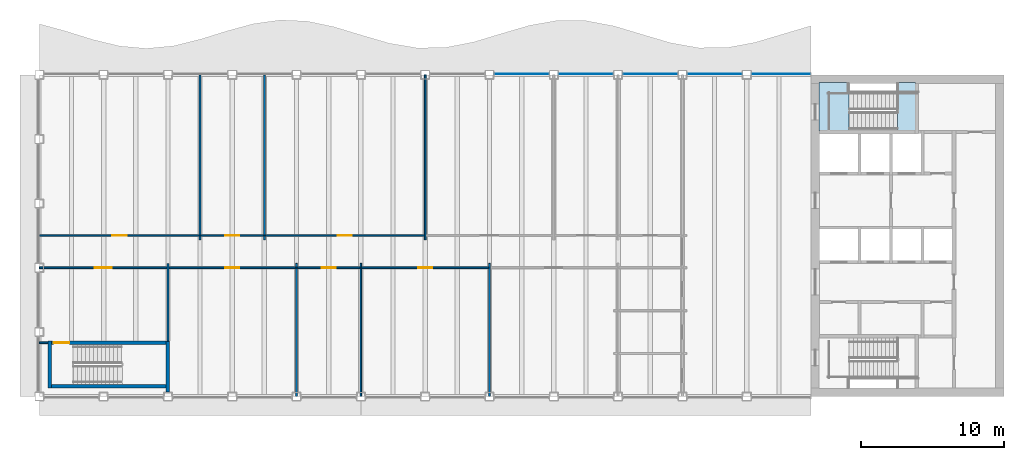
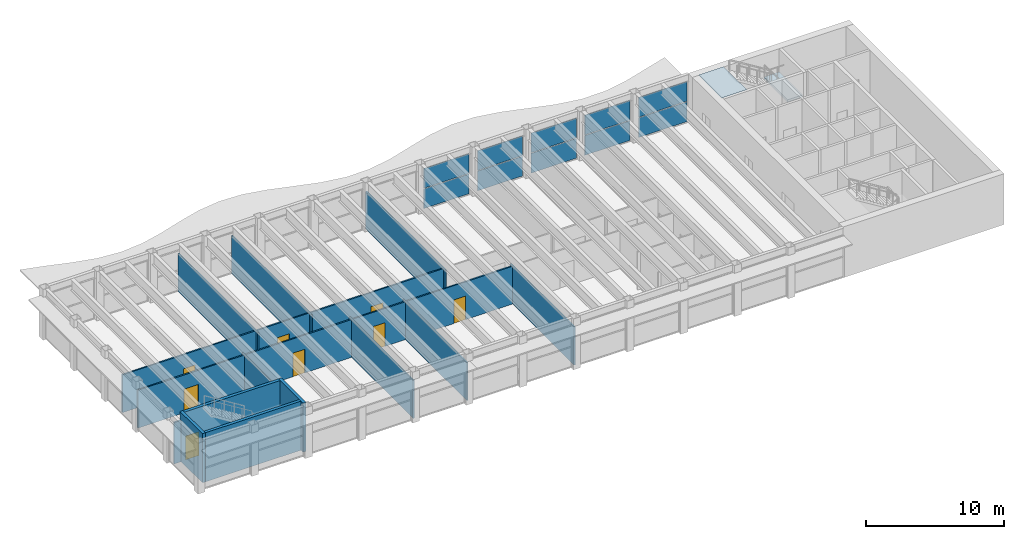
# One storey, part 8 of 14: 19 walls, 10 plates, 8 doors, 2 slabs, 8 openings, 6 elements without a shape of their own.
"""IFC4 building model written with IfcOpenShell, lengths in metres."""

from ifc_helpers import new_model, si_unit, direction, frame, frame_2d, origin, origin_2d, place, context, subcontext, project, spatial, polyline, rectangle, outline, extrude, material, layer, layer_set, type_object, element, fill, aggregate, save


model = new_model("IFC4")

# Units and contexts
model_context = context("Model", 3, precision=1e-05, world=origin(), true_north=direction((0.0, 1.0)))
body_context = subcontext(model_context, "Body", "Model", "MODEL_VIEW")
ifc_project = project(units=[si_unit("LENGTHUNIT", "METRE"), si_unit("AREAUNIT", "SQUARE_METRE"), si_unit("VOLUMEUNIT", "CUBIC_METRE"), si_unit("PLANEANGLEUNIT", "RADIAN"), si_unit("MASSUNIT", "GRAM", prefix="KILO")], contexts=[model_context])

# Site, building, storey
site_placement = place(None, origin())
site = spatial("IfcSite", under=ifc_project, at=site_placement, CompositionType="ELEMENT")
building_placement = place(site_placement, origin())
building = spatial("IfcBuilding", under=site, at=building_placement, Name="Sennacour Bend Tower", CompositionType="ELEMENT")
storey_placement = place(building_placement, frame((0.0, 0.0, 314.0)))
storey = spatial("IfcBuildingStorey", under=building, at=storey_placement, Name="L72", CompositionType="ELEMENT", Elevation=314.0)

# Curtain wall, plates
ifc_material_1 = material(Name="Bronze anodised aluminium curtain wall with clear glass", Category="aluminium")
curtain_wall_type = type_object("IfcCurtainWallType", Name="CURTAIN WALL EXEC", PredefinedType="NOTDEFINED", material=ifc_material_1)
curtain_wall_1_placement = place(storey_placement, origin())
curtain_wall_1 = element("IfcCurtainWall", 1, at=curtain_wall_1_placement, inside=storey, type_object=curtain_wall_type, Name="Executive floor glass wall L72", PredefinedType="NOTDEFINED")
ifc_material_2 = material(Name="Clear low-emissivity glass", Category="glass")
ifc_layer_1 = layer(ifc_material_2, 0.031982421875, Name="Clear low-emissivity glass", Category="glass")
ifc_layer_set_1 = layer_set([ifc_layer_1], Name="Clear low-emissivity glass")
plate_type = type_object("IfcPlateType", Name="PNL-GLASS-IGU32", PredefinedType="CURTAIN_PANEL", material=ifc_layer_set_1)
plate_1_placement = place(storey_placement, frame((51.89990234375, 22.574951171875, 0.06005859375), z_axis=(0.0, 0.0, 1.0), x_axis=(-1.0, 0.0, 0.0)))
plate_1 = element("IfcPlate", 2, at=plate_1_placement, type_object=plate_type, Name="GW3 curtain wall panel 1.1", PredefinedType="CURTAIN_PANEL", context=body_context, shape_type="SweptSolid", body=[
    extrude(rectangle(XDim=4.080078125, YDim=0.031982421875, at=origin_2d()), origin(), (0.0, 0.0, 1.0), 1.74609375),
])
plate_2_placement = place(storey_placement, frame((51.89990234375, 22.574951171875, 1.865966796875), z_axis=(0.0, 0.0, 1.0), x_axis=(-1.0, 0.0, 0.0)))
plate_2 = element("IfcPlate", 3, at=plate_2_placement, type_object=plate_type, Name="GW3 curtain wall panel 1.2", PredefinedType="CURTAIN_PANEL", context=body_context, shape_type="SweptSolid", body=[
    extrude(rectangle(XDim=4.080078125, YDim=0.031982421875, at=origin_2d()), origin(), (0.0, 0.0, 1.0), 1.74609375),
])
aggregate(curtain_wall_1, [plate_1, plate_2])

curtain_wall_2_placement = place(storey_placement, origin())
curtain_wall_2 = element("IfcCurtainWall", 4, at=curtain_wall_2_placement, inside=storey, type_object=curtain_wall_type, Name="Executive floor glass wall L72", PredefinedType="NOTDEFINED")
plate_3_placement = place(storey_placement, frame((47.25, 22.574951171875, 0.06005859375), z_axis=(0.0, 0.0, 1.0), x_axis=(-1.0, 0.0, 0.0)))
plate_3 = element("IfcPlate", 5, at=plate_3_placement, type_object=plate_type, Name="GW3 curtain wall panel 1.1", PredefinedType="CURTAIN_PANEL", context=body_context, shape_type="SweptSolid", body=[
    extrude(rectangle(XDim=3.780029296875, YDim=0.031982421875, at=origin_2d()), origin(), (0.0, 0.0, 1.0), 1.74609375),
])
plate_4_placement = place(storey_placement, frame((47.25, 22.574951171875, 1.865966796875), z_axis=(0.0, 0.0, 1.0), x_axis=(-1.0, 0.0, 0.0)))
plate_4 = element("IfcPlate", 6, at=plate_4_placement, type_object=plate_type, Name="GW3 curtain wall panel 1.2", PredefinedType="CURTAIN_PANEL", context=body_context, shape_type="SweptSolid", body=[
    extrude(rectangle(XDim=3.780029296875, YDim=0.031982421875, at=origin_2d()), origin(), (0.0, 0.0, 1.0), 1.74609375),
])
aggregate(curtain_wall_2, [plate_3, plate_4])

curtain_wall_3_placement = place(storey_placement, origin())
curtain_wall_3 = element("IfcCurtainWall", 7, at=curtain_wall_3_placement, inside=storey, type_object=curtain_wall_type, Name="Executive floor glass wall L72", PredefinedType="NOTDEFINED")
plate_5_placement = place(storey_placement, frame((42.75, 22.574951171875, 0.06005859375), z_axis=(0.0, 0.0, 1.0), x_axis=(-1.0, 0.0, 0.0)))
plate_5 = element("IfcPlate", 8, at=plate_5_placement, type_object=plate_type, Name="GW3 curtain wall panel 1.1", PredefinedType="CURTAIN_PANEL", context=body_context, shape_type="SweptSolid", body=[
    extrude(rectangle(XDim=3.780029296875, YDim=0.031982421875, at=origin_2d()), origin(), (0.0, 0.0, 1.0), 1.74609375),
])
plate_6_placement = place(storey_placement, frame((42.75, 22.574951171875, 1.865966796875), z_axis=(0.0, 0.0, 1.0), x_axis=(-1.0, 0.0, 0.0)))
plate_6 = element("IfcPlate", 9, at=plate_6_placement, type_object=plate_type, Name="GW3 curtain wall panel 1.2", PredefinedType="CURTAIN_PANEL", context=body_context, shape_type="SweptSolid", body=[
    extrude(rectangle(XDim=3.780029296875, YDim=0.031982421875, at=origin_2d()), origin(), (0.0, 0.0, 1.0), 1.74609375),
])
aggregate(curtain_wall_3, [plate_5, plate_6])

curtain_wall_4_placement = place(storey_placement, origin())
curtain_wall_4 = element("IfcCurtainWall", 10, at=curtain_wall_4_placement, inside=storey, type_object=curtain_wall_type, Name="Executive floor glass wall L72", PredefinedType="NOTDEFINED")
plate_7_placement = place(storey_placement, frame((38.25, 22.574951171875, 0.06005859375), z_axis=(0.0, 0.0, 1.0), x_axis=(-1.0, 0.0, 0.0)))
plate_7 = element("IfcPlate", 11, at=plate_7_placement, type_object=plate_type, Name="GW3 curtain wall panel 1.1", PredefinedType="CURTAIN_PANEL", context=body_context, shape_type="SweptSolid", body=[
    extrude(rectangle(XDim=3.780029296875, YDim=0.031982421875, at=origin_2d()), origin(), (0.0, 0.0, 1.0), 1.74609375),
])
plate_8_placement = place(storey_placement, frame((38.25, 22.574951171875, 1.865966796875), z_axis=(0.0, 0.0, 1.0), x_axis=(-1.0, 0.0, 0.0)))
plate_8 = element("IfcPlate", 12, at=plate_8_placement, type_object=plate_type, Name="GW3 curtain wall panel 1.2", PredefinedType="CURTAIN_PANEL", context=body_context, shape_type="SweptSolid", body=[
    extrude(rectangle(XDim=3.780029296875, YDim=0.031982421875, at=origin_2d()), origin(), (0.0, 0.0, 1.0), 1.74609375),
])
aggregate(curtain_wall_4, [plate_7, plate_8])

curtain_wall_5_placement = place(storey_placement, origin())
curtain_wall_5 = element("IfcCurtainWall", 13, at=curtain_wall_5_placement, inside=storey, type_object=curtain_wall_type, Name="Executive floor glass wall L72", PredefinedType="NOTDEFINED")
plate_9_placement = place(storey_placement, frame((33.75, 22.574951171875, 0.06005859375), z_axis=(0.0, 0.0, 1.0), x_axis=(-1.0, 0.0, 0.0)))
plate_9 = element("IfcPlate", 14, at=plate_9_placement, type_object=plate_type, Name="GW3 curtain wall panel 1.1", PredefinedType="CURTAIN_PANEL", context=body_context, shape_type="SweptSolid", body=[
    extrude(rectangle(XDim=3.780029296875, YDim=0.031982421875, at=origin_2d()), origin(), (0.0, 0.0, 1.0), 1.74609375),
])
plate_10_placement = place(storey_placement, frame((33.75, 22.574951171875, 1.865966796875), z_axis=(0.0, 0.0, 1.0), x_axis=(-1.0, 0.0, 0.0)))
plate_10 = element("IfcPlate", 15, at=plate_10_placement, type_object=plate_type, Name="GW3 curtain wall panel 1.2", PredefinedType="CURTAIN_PANEL", context=body_context, shape_type="SweptSolid", body=[
    extrude(rectangle(XDim=3.780029296875, YDim=0.031982421875, at=origin_2d()), origin(), (0.0, 0.0, 1.0), 1.74609375),
])
aggregate(curtain_wall_5, [plate_9, plate_10])

# Slab
ifc_material_3 = material(Name="Concrete C40/50", Category="concrete")
ifc_layer_2 = layer(ifc_material_3, 0.034912109375, Name="Concrete C40/50", Category="concrete")
ifc_layer_set_2 = layer_set([ifc_layer_2], Name="Concrete C40/50")
slab_type_1 = type_object("IfcSlabType", Name="Stair arrival nib 35", PredefinedType="FLOOR", material=ifc_layer_set_2)
slab_1_placement = place(storey_placement, frame((0.0, 0.0, 4.315185546875)))
element("IfcSlab", 16, at=slab_1_placement, inside=storey, type_object=slab_type_1, Name="L72 SA2 stair arrival nib", PredefinedType="FLOOR", context=body_context, shape_type="SweptSolid", body=[
    extrude(outline(polyline([(56.64208984375, 21.949951171875), (54.550048828125, 21.949951171875), (54.550048828125, 18.574951171875), (56.64208984375, 18.574951171875), (56.64208984375, 21.949951171875)])), origin(), (0.0, 0.0, 1.0), 0.034912109375),
])

# Stair, slab
stair_type = type_object("IfcStairType", Name="ST-DOGLEG", PredefinedType="HALF_TURN_STAIR", material=ifc_material_3)
stair_placement = place(storey_placement, origin())
stair = element("IfcStair", 17, at=stair_placement, inside=storey, type_object=stair_type, Name="L72 Exit stair A2", PredefinedType="HALF_TURN_STAIR")
ifc_layer_3 = layer(ifc_material_3, 0.199951171875, Name="Concrete C40/50", Category="concrete")
ifc_layer_set_3 = layer_set([ifc_layer_3], Name="Concrete C40/50")
slab_type_2 = type_object("IfcSlabType", Name="Stair landing 200", PredefinedType="LANDING", material=ifc_layer_set_3)
slab_2_placement = place(storey_placement, frame((0.0, 0.0, 2.050048828125)))
slab_2 = element("IfcSlab", 18, at=slab_2_placement, type_object=slab_type_2, Name="SA2 landing 1", PredefinedType="LANDING", context=body_context, shape_type="SweptSolid", body=[
    extrude(outline(polyline([(60.06005859375, 18.574951171875), (61.324951171875, 18.574951171875), (61.324951171875, 21.949951171875), (60.06005859375, 21.949951171875), (60.06005859375, 18.574951171875)])), origin(), (0.0, 0.0, 1.0), 0.199951171875),
])
aggregate(stair, [slab_2])

# Walls
ifc_material_4 = material(Name="Plasterboard partition on steel studs", Category="steel")
ifc_layer_4 = layer(ifc_material_4, 0.1201171875, Name="Plasterboard partition on steel studs", Category="steel")
ifc_layer_set_4 = layer_set([ifc_layer_4], Name="Plasterboard partition on steel studs")
wall_type_1 = type_object("IfcWallType", Name="Partition 120", PredefinedType="PARTITIONING", material=ifc_layer_set_4)
wall_1_placement = place(storey_placement, frame((9.0, 3.875, 0.0), z_axis=(0.0, 0.0, 1.0), x_axis=(0.0, 1.0, 0.0)))
element("IfcWall", 19, at=wall_1_placement, inside=storey, type_object=wall_type_1, Name="P-L72-W005a", PredefinedType="PARTITIONING", context=body_context, shape_type="SweptSolid", body=[
    extrude(rectangle(XDim=5.425048828125, YDim=0.1201171875, at=frame_2d((2.71240234375, 0.0))), origin(), (0.0, 0.0, 1.0), 3.35888671875),
])
for number, where, z_axis, x_axis, name in (
    (20, (11.25, 10.949951171875, 0.0), (0.0, 0.0, 1.0), (0.0, 1.0, 0.0), "P-L72-W006a"),
    (21, (15.75, 10.949951171875, 0.0), (0.0, 0.0, 1.0), (0.0, 1.0, 0.0), "P-L72-W007a"),
):
    element("IfcWall", number, at=place(storey_placement, frame(where, z_axis=z_axis, x_axis=x_axis)), inside=storey, type_object=wall_type_1, Name=name, PredefinedType="PARTITIONING", context=body_context, shape_type="SweptSolid", body=[
        extrude(rectangle(XDim=11.5400390625, YDim=0.1201171875, at=frame_2d((5.77001953125, 0.0))), origin(), (0.0, 0.0, 1.0), 3.35888671875),
    ])
for number, where, z_axis, x_axis, name in (
    (22, (18.0, 0.010009765625, 0.0), (0.0, 0.0, 1.0), (0.0, 1.0, 0.0), "P-L72-W008a"),
    (23, (22.5, 0.010009765625, 0.0), (0.0, 0.0, 1.0), (0.0, 1.0, 0.0), "P-L72-W009a"),
):
    element("IfcWall", number, at=place(storey_placement, frame(where, z_axis=z_axis, x_axis=x_axis)), inside=storey, type_object=wall_type_1, Name=name, PredefinedType="PARTITIONING", context=body_context, shape_type="SweptSolid", body=[
        extrude(rectangle(XDim=9.2900390625, YDim=0.1201171875, at=frame_2d((4.64501953125, 0.0))), origin(), (0.0, 0.0, 1.0), 3.35888671875),
    ])
wall_2_placement = place(storey_placement, frame((27.0, 10.949951171875, 0.0), z_axis=(0.0, 0.0, 1.0), x_axis=(0.0, 1.0, 0.0)))
element("IfcWall", 24, at=wall_2_placement, inside=storey, type_object=wall_type_1, Name="P-L72-W010a", PredefinedType="PARTITIONING", context=body_context, shape_type="SweptSolid", body=[
    extrude(rectangle(XDim=11.5400390625, YDim=0.1201171875, at=frame_2d((5.77001953125, 0.0))), origin(), (0.0, 0.0, 1.0), 3.35888671875),
])
wall_3_placement = place(storey_placement, frame((31.5, 0.010009765625, 0.0), z_axis=(0.0, 0.0, 1.0), x_axis=(0.0, 1.0, 0.0)))
element("IfcWall", 25, at=wall_3_placement, inside=storey, type_object=wall_type_1, Name="P-L72-W011a", PredefinedType="PARTITIONING", context=body_context, shape_type="SweptSolid", body=[
    extrude(rectangle(XDim=9.2900390625, YDim=0.1201171875, at=frame_2d((4.64501953125, 0.0))), origin(), (0.0, 0.0, 1.0), 3.35888671875),
])
wall_4_placement = place(storey_placement, frame((0.010009765625, 3.75, 0.0), z_axis=(0.0, 0.0, 1.0), x_axis=(1.0, 0.0, 0.0)))
element("IfcWall", 26, at=wall_4_placement, inside=storey, type_object=wall_type_1, Name="P-L72-W032a", PredefinedType="PARTITIONING", context=body_context, shape_type="SweptSolid", body=[
    extrude(rectangle(XDim=0.590087890625, YDim=0.1201171875, at=frame_2d((0.294921875, 0.0))), origin(), (0.0, 0.0, 1.0), 3.672119140625),
])

# Wall, opening, door
wall_5_placement = place(storey_placement, frame((9.06005859375, 9.0, 0.0), z_axis=(0.0, 0.0, 1.0), x_axis=(1.0, 0.0, 0.0)))
wall_5 = element("IfcWall", 27, at=wall_5_placement, inside=storey, type_object=wall_type_1, Name="P-L72-W038ab", PredefinedType="PARTITIONING", context=body_context, shape_type="SweptSolid", body=[
    extrude(rectangle(XDim=8.8798828125, YDim=0.1201171875, at=frame_2d((4.43994140625, 0.0))), origin(), (0.0, 0.0, 1.0), 3.35888671875),
])
opening_1_placement = place(wall_5_placement, frame((3.93994140625, 0.0, 0.0)))
opening_1 = element("IfcOpeningElement", 28, at=opening_1_placement, cuts=wall_5, Name="Opening OD2", PredefinedType="OPENING", context=body_context, shape_type="SweptSolid", body=[
    extrude(rectangle(XDim=1.0, YDim=2.10009765625, at=frame_2d((0.5, 1.050048828125))), frame((0.0, 0.070068359375, 0.0), z_axis=(0.0, -1.0, 0.0), x_axis=(1.0, 0.0, 0.0)), (0.0, 0.0, 1.0), 0.14013671875),
])
ifc_material_5 = material(Name="Timber", Category="wood")
door_type_1 = type_object("IfcDoorType", Name="DR-OFFICE-1000", OperationType="NOTDEFINED", PredefinedType="DOOR", material=ifc_material_5)
door_1_placement = place(opening_1_placement, origin())
door_1 = element("IfcDoor", 29, at=door_1_placement, inside=storey, type_object=door_type_1, Name="Door", OperationType="SINGLE_SWING_LEFT", OverallHeight=2.10009765625, OverallWidth=1.0, PredefinedType="DOOR", context=body_context, shape_type="SweptSolid", body=[
    extrude(rectangle(XDim=1.0, YDim=2.10009765625, at=frame_2d((0.5, 1.050048828125))), frame((0.0, 0.02490234375, 0.0), z_axis=(0.0, -1.0, 0.0), x_axis=(1.0, 0.0, 0.0)), (0.0, 0.0, 1.0), 0.050048828125),
])
fill(opening_1, door_1)

wall_6_placement = place(storey_placement, frame((18.06005859375, 9.0, 0.0), z_axis=(0.0, 0.0, 1.0), x_axis=(1.0, 0.0, 0.0)))
wall_6 = element("IfcWall", 30, at=wall_6_placement, inside=storey, type_object=wall_type_1, Name="P-L72-W038ac", PredefinedType="PARTITIONING", context=body_context, shape_type="SweptSolid", body=[
    extrude(rectangle(XDim=4.3798828125, YDim=0.1201171875, at=frame_2d((2.18994140625, 0.0))), origin(), (0.0, 0.0, 1.0), 3.35888671875),
])
opening_2_placement = place(wall_6_placement, frame((1.68994140625, 0.0, 0.0)))
opening_2 = element("IfcOpeningElement", 31, at=opening_2_placement, cuts=wall_6, Name="Opening OD2", PredefinedType="OPENING", context=body_context, shape_type="SweptSolid", body=[
    extrude(rectangle(XDim=1.0, YDim=2.10009765625, at=frame_2d((0.5, 1.050048828125))), frame((0.0, 0.070068359375, 0.0), z_axis=(0.0, -1.0, 0.0), x_axis=(1.0, 0.0, 0.0)), (0.0, 0.0, 1.0), 0.14013671875),
])
door_2_placement = place(opening_2_placement, origin())
door_2 = element("IfcDoor", 32, at=door_2_placement, inside=storey, type_object=door_type_1, Name="Door", OperationType="SINGLE_SWING_LEFT", OverallHeight=2.10009765625, OverallWidth=1.0, PredefinedType="DOOR", context=body_context, shape_type="SweptSolid", body=[
    extrude(rectangle(XDim=1.0, YDim=2.10009765625, at=frame_2d((0.5, 1.050048828125))), frame((0.0, 0.02490234375, 0.0), z_axis=(0.0, -1.0, 0.0), x_axis=(1.0, 0.0, 0.0)), (0.0, 0.0, 1.0), 0.050048828125),
])
fill(opening_2, door_2)

wall_7_placement = place(storey_placement, frame((22.56005859375, 9.0, 0.0), z_axis=(0.0, 0.0, 1.0), x_axis=(1.0, 0.0, 0.0)))
wall_7 = element("IfcWall", 33, at=wall_7_placement, inside=storey, type_object=wall_type_1, Name="P-L72-W038ad", PredefinedType="PARTITIONING", context=body_context, shape_type="SweptSolid", body=[
    extrude(rectangle(XDim=8.8798828125, YDim=0.1201171875, at=frame_2d((4.43994140625, 0.0))), origin(), (0.0, 0.0, 1.0), 3.35888671875),
])
opening_3_placement = place(wall_7_placement, frame((3.93994140625, 0.0, 0.0)))
opening_3 = element("IfcOpeningElement", 34, at=opening_3_placement, cuts=wall_7, Name="Opening OD2", PredefinedType="OPENING", context=body_context, shape_type="SweptSolid", body=[
    extrude(rectangle(XDim=1.0, YDim=2.10009765625, at=frame_2d((0.5, 1.050048828125))), frame((0.0, 0.070068359375, 0.0), z_axis=(0.0, -1.0, 0.0), x_axis=(1.0, 0.0, 0.0)), (0.0, 0.0, 1.0), 0.14013671875),
])
door_3_placement = place(opening_3_placement, origin())
door_3 = element("IfcDoor", 35, at=door_3_placement, inside=storey, type_object=door_type_1, Name="Door", OperationType="SINGLE_SWING_LEFT", OverallHeight=2.10009765625, OverallWidth=1.0, PredefinedType="DOOR", context=body_context, shape_type="SweptSolid", body=[
    extrude(rectangle(XDim=1.0, YDim=2.10009765625, at=frame_2d((0.5, 1.050048828125))), frame((0.0, 0.02490234375, 0.0), z_axis=(0.0, -1.0, 0.0), x_axis=(1.0, 0.0, 0.0)), (0.0, 0.0, 1.0), 0.050048828125),
])
fill(opening_3, door_3)

wall_8_placement = place(storey_placement, frame((0.010009765625, 11.25, 0.0), z_axis=(0.0, 0.0, 1.0), x_axis=(1.0, 0.0, 0.0)))
wall_8 = element("IfcWall", 36, at=wall_8_placement, inside=storey, type_object=wall_type_1, Name="P-L72-W040aa", PredefinedType="PARTITIONING", context=body_context, shape_type="SweptSolid", body=[
    extrude(rectangle(XDim=11.179931640625, YDim=0.1201171875, at=frame_2d((5.58984375, 0.0))), origin(), (0.0, 0.0, 1.0), 3.35888671875),
])
opening_4_placement = place(wall_8_placement, frame((5.10009765625, 0.0, 0.0)))
opening_4 = element("IfcOpeningElement", 37, at=opening_4_placement, cuts=wall_8, Name="Opening OD2", PredefinedType="OPENING", context=body_context, shape_type="SweptSolid", body=[
    extrude(rectangle(XDim=1.0, YDim=2.10009765625, at=frame_2d((0.5, 1.050048828125))), frame((0.0, 0.070068359375, 0.0), z_axis=(0.0, -1.0, 0.0), x_axis=(1.0, 0.0, 0.0)), (0.0, 0.0, 1.0), 0.14013671875),
])
door_4_placement = place(opening_4_placement, origin())
door_4 = element("IfcDoor", 38, at=door_4_placement, inside=storey, type_object=door_type_1, Name="Door", OperationType="SINGLE_SWING_LEFT", OverallHeight=2.10009765625, OverallWidth=1.0, PredefinedType="DOOR", context=body_context, shape_type="SweptSolid", body=[
    extrude(rectangle(XDim=1.0, YDim=2.10009765625, at=frame_2d((0.5, 1.050048828125))), frame((0.0, 0.02490234375, 0.0), z_axis=(0.0, -1.0, 0.0), x_axis=(1.0, 0.0, 0.0)), (0.0, 0.0, 1.0), 0.050048828125),
])
fill(opening_4, door_4)

wall_9_placement = place(storey_placement, frame((11.31005859375, 11.25, 0.0), z_axis=(0.0, 0.0, 1.0), x_axis=(1.0, 0.0, 0.0)))
wall_9 = element("IfcWall", 39, at=wall_9_placement, inside=storey, type_object=wall_type_1, Name="P-L72-W040ab", PredefinedType="PARTITIONING", context=body_context, shape_type="SweptSolid", body=[
    extrude(rectangle(XDim=4.3798828125, YDim=0.1201171875, at=frame_2d((2.18994140625, 0.0))), origin(), (0.0, 0.0, 1.0), 3.35888671875),
])
opening_5_placement = place(wall_9_placement, frame((1.68994140625, 0.0, 0.0)))
opening_5 = element("IfcOpeningElement", 40, at=opening_5_placement, cuts=wall_9, Name="Opening OD2", PredefinedType="OPENING", context=body_context, shape_type="SweptSolid", body=[
    extrude(rectangle(XDim=1.0, YDim=2.10009765625, at=frame_2d((0.5, 1.050048828125))), frame((0.0, 0.070068359375, 0.0), z_axis=(0.0, -1.0, 0.0), x_axis=(1.0, 0.0, 0.0)), (0.0, 0.0, 1.0), 0.14013671875),
])
door_5_placement = place(opening_5_placement, origin())
door_5 = element("IfcDoor", 41, at=door_5_placement, inside=storey, type_object=door_type_1, Name="Door", OperationType="SINGLE_SWING_LEFT", OverallHeight=2.10009765625, OverallWidth=1.0, PredefinedType="DOOR", context=body_context, shape_type="SweptSolid", body=[
    extrude(rectangle(XDim=1.0, YDim=2.10009765625, at=frame_2d((0.5, 1.050048828125))), frame((0.0, 0.02490234375, 0.0), z_axis=(0.0, -1.0, 0.0), x_axis=(1.0, 0.0, 0.0)), (0.0, 0.0, 1.0), 0.050048828125),
])
fill(opening_5, door_5)

wall_10_placement = place(storey_placement, frame((15.81005859375, 11.25, 0.0), z_axis=(0.0, 0.0, 1.0), x_axis=(1.0, 0.0, 0.0)))
wall_10 = element("IfcWall", 42, at=wall_10_placement, inside=storey, type_object=wall_type_1, Name="P-L72-W040ac", PredefinedType="PARTITIONING", context=body_context, shape_type="SweptSolid", body=[
    extrude(rectangle(XDim=11.1298828125, YDim=0.1201171875, at=frame_2d((5.56494140625, 0.0))), origin(), (0.0, 0.0, 1.0), 3.35888671875),
])
opening_6_placement = place(wall_10_placement, frame((5.06494140625, 0.0, 0.0)))
opening_6 = element("IfcOpeningElement", 43, at=opening_6_placement, cuts=wall_10, Name="Opening OD2", PredefinedType="OPENING", context=body_context, shape_type="SweptSolid", body=[
    extrude(rectangle(XDim=1.0, YDim=2.10009765625, at=frame_2d((0.5, 1.050048828125))), frame((0.0, 0.070068359375, 0.0), z_axis=(0.0, -1.0, 0.0), x_axis=(1.0, 0.0, 0.0)), (0.0, 0.0, 1.0), 0.14013671875),
])
door_6_placement = place(opening_6_placement, origin())
door_6 = element("IfcDoor", 44, at=door_6_placement, inside=storey, type_object=door_type_1, Name="Door", OperationType="SINGLE_SWING_LEFT", OverallHeight=2.10009765625, OverallWidth=1.0, PredefinedType="DOOR", context=body_context, shape_type="SweptSolid", body=[
    extrude(rectangle(XDim=1.0, YDim=2.10009765625, at=frame_2d((0.5, 1.050048828125))), frame((0.0, 0.02490234375, 0.0), z_axis=(0.0, -1.0, 0.0), x_axis=(1.0, 0.0, 0.0)), (0.0, 0.0, 1.0), 0.050048828125),
])
fill(opening_6, door_6)

ifc_layer_5 = layer(ifc_material_4, 0.1201171875, Name="Plasterboard partition on steel studs", Category="steel")
ifc_layer_set_5 = layer_set([ifc_layer_5], Name="Plasterboard partition on steel studs")
wall_type_2 = type_object("IfcWallType", Name="Partition 120 EI 30", PredefinedType="PARTITIONING", material=ifc_layer_set_5)
wall_11_placement = place(storey_placement, frame((0.010009765625, 9.0, 0.0), z_axis=(0.0, 0.0, 1.0), x_axis=(1.0, 0.0, 0.0)))
wall_11 = element("IfcWall", 45, at=wall_11_placement, inside=storey, type_object=wall_type_2, Name="P-L72-W038aa", PredefinedType="PARTITIONING", context=body_context, shape_type="SweptSolid", body=[
    extrude(rectangle(XDim=8.929931640625, YDim=0.1201171875, at=frame_2d((4.46484375, 0.0))), origin(), (0.0, 0.0, 1.0), 3.35888671875),
])
opening_7_placement = place(wall_11_placement, frame((3.875, 0.0, 0.0)))
opening_7 = element("IfcOpeningElement", 46, at=opening_7_placement, cuts=wall_11, Name="Opening KD2", PredefinedType="OPENING", context=body_context, shape_type="SweptSolid", body=[
    extrude(rectangle(XDim=1.199951171875, YDim=2.10009765625, at=frame_2d((0.60009765625, 1.050048828125))), frame((0.0, 0.070068359375, 0.0), z_axis=(0.0, -1.0, 0.0), x_axis=(1.0, 0.0, 0.0)), (0.0, 0.0, 1.0), 0.14013671875),
])
ifc_material_6 = material(Name="Painted steel", Category="steel")
door_type_2 = type_object("IfcDoorType", Name="DR-CORRIDOR-1200", OperationType="NOTDEFINED", PredefinedType="DOOR", material=ifc_material_6)
door_7_placement = place(opening_7_placement, origin())
door_7 = element("IfcDoor", 47, at=door_7_placement, inside=storey, type_object=door_type_2, Name="Door", OperationType="SINGLE_SWING_LEFT", OverallHeight=2.10009765625, OverallWidth=1.199951171875, PredefinedType="DOOR", context=body_context, shape_type="SweptSolid", body=[
    extrude(rectangle(XDim=1.199951171875, YDim=2.10009765625, at=frame_2d((0.60009765625, 1.050048828125))), frame((0.0, 0.02490234375, 0.0), z_axis=(0.0, -1.0, 0.0), x_axis=(1.0, 0.0, 0.0)), (0.0, 0.0, 1.0), 0.050048828125),
])
fill(opening_7, door_7)

# Walls
ifc_material_7 = material(Name="Concrete C60/75", Category="concrete")
ifc_layer_6 = layer(ifc_material_7, 0.25, Name="Concrete C60/75", Category="concrete")
ifc_layer_set_6 = layer_set([ifc_layer_6], Name="Concrete C60/75")
wall_type_3 = type_object("IfcWallType", Name="Stair wall 250", PredefinedType="SHEAR", material=ifc_layer_set_6)
wall_12_placement = place(storey_placement, frame((0.72509765625, 0.60009765625, 0.0), z_axis=(0.0, 0.0, 1.0), x_axis=(0.0, 1.0, 0.0)))
element("IfcWall", 48, at=wall_12_placement, inside=storey, type_object=wall_type_3, Name="P-L72-W002", PredefinedType="SHEAR", context=body_context, shape_type="SweptSolid", body=[
    extrude(rectangle(XDim=3.27490234375, YDim=0.25, at=frame_2d((1.637451171875, 0.0))), origin(), (0.0, 0.0, 1.0), 4.35009765625),
])
wall_13_placement = place(storey_placement, frame((9.0, 0.300048828125, 0.0), z_axis=(0.0, 0.0, 1.0), x_axis=(0.0, 1.0, 0.0)))
element("IfcWall", 49, at=wall_13_placement, inside=storey, type_object=wall_type_3, Name="P-L72-W004", PredefinedType="SHEAR", context=body_context, shape_type="SweptSolid", body=[
    extrude(rectangle(XDim=3.574951171875, YDim=0.25, at=frame_2d((1.78759765625, 0.0))), origin(), (0.0, 0.0, 1.0), 4.35009765625),
])
wall_14_placement = place(storey_placement, frame((0.85009765625, 0.72509765625, 0.0), z_axis=(0.0, 0.0, 1.0), x_axis=(1.0, 0.0, 0.0)))
element("IfcWall", 50, at=wall_14_placement, inside=storey, type_object=wall_type_3, Name="P-L72-W030", PredefinedType="SHEAR", context=body_context, shape_type="SweptSolid", body=[
    extrude(rectangle(XDim=8.02490234375, YDim=0.25, at=frame_2d((4.012451171875, 0.0))), origin(), (0.0, 0.0, 1.0), 4.35009765625),
])

# Wall, opening, door
wall_15_placement = place(storey_placement, frame((0.85009765625, 3.75, 0.0), z_axis=(0.0, 0.0, 1.0), x_axis=(1.0, 0.0, 0.0)))
wall_15 = element("IfcWall", 51, at=wall_15_placement, inside=storey, type_object=wall_type_3, Name="P-L72-W033", PredefinedType="SHEAR", context=body_context, shape_type="SweptSolid", body=[
    extrude(rectangle(XDim=8.02490234375, YDim=0.25, at=frame_2d((4.012451171875, 0.0))), origin(), (0.0, 0.0, 1.0), 4.35009765625),
])
opening_8_placement = place(wall_15_placement, frame((0.14990234375, 0.0, 0.0)))
opening_8 = element("IfcOpeningElement", 52, at=opening_8_placement, cuts=wall_15, Name="Opening SD", PredefinedType="OPENING", context=body_context, shape_type="SweptSolid", body=[
    extrude(rectangle(XDim=1.10009765625, YDim=2.10009765625, at=frame_2d((0.550048828125, 1.050048828125))), frame((0.0, 0.135009765625, 0.0), z_axis=(0.0, -1.0, 0.0), x_axis=(1.0, 0.0, 0.0)), (0.0, 0.0, 1.0), 0.27001953125),
])
door_type_3 = type_object("IfcDoorType", Name="DR-STAIR-1100", OperationType="NOTDEFINED", PredefinedType="DOOR", material=ifc_material_6)
door_8_placement = place(opening_8_placement, origin())
door_8 = element("IfcDoor", 53, at=door_8_placement, inside=storey, type_object=door_type_3, Name="Door", OperationType="SINGLE_SWING_LEFT", OverallHeight=2.10009765625, OverallWidth=1.10009765625, PredefinedType="DOOR", context=body_context, shape_type="SweptSolid", body=[
    extrude(rectangle(XDim=1.10009765625, YDim=2.10009765625, at=frame_2d((0.550048828125, 1.050048828125))), frame((0.0, 0.02490234375, 0.0), z_axis=(0.0, -1.0, 0.0), x_axis=(1.0, 0.0, 0.0)), (0.0, 0.0, 1.0), 0.050048828125),
])
fill(opening_8, door_8)

save(model, "model.ifc")
